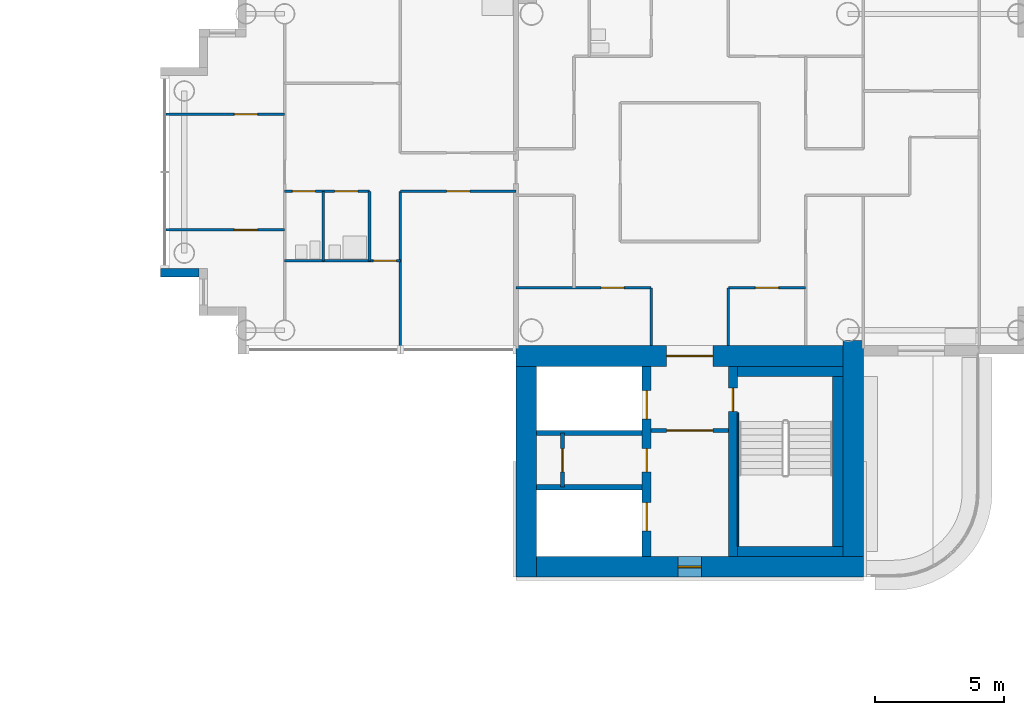
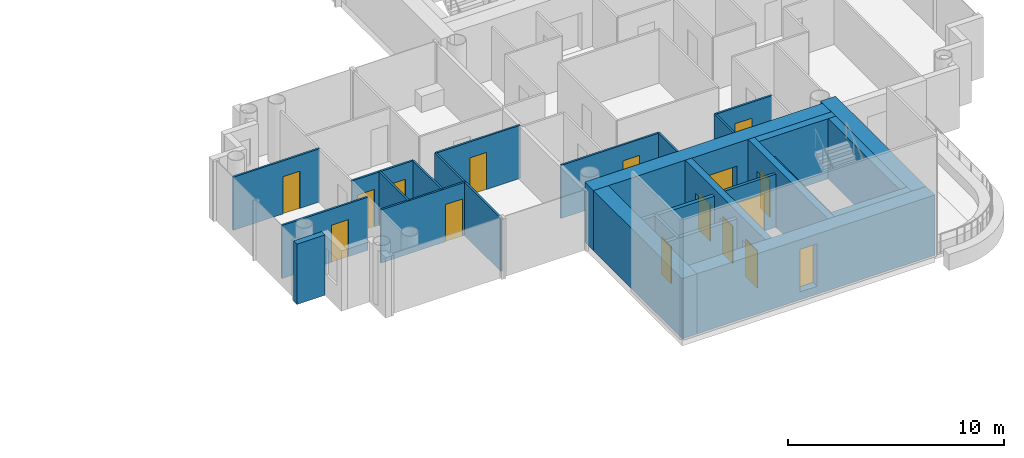
# One storey, part 10 of 20: 27 walls, 15 doors, 1 window, 16 openings.
"""IFC4 building model written with IfcOpenShell, lengths in metres."""

from ifc_helpers import new_model, si_unit, direction, frame, frame_2d, origin, place, context, subcontext, project, spatial, rectangle, extrude, material, layer, layer_set, type_object, element, fill, save


model = new_model("IFC4")

# Units and contexts
model_context = context("Model", 3, precision=1e-05, world=origin(), true_north=direction((0.0, 1.0)))
body_context = subcontext(model_context, "Body", "Model", "MODEL_VIEW")
ifc_project = project(units=[si_unit("LENGTHUNIT", "METRE"), si_unit("AREAUNIT", "SQUARE_METRE"), si_unit("VOLUMEUNIT", "CUBIC_METRE"), si_unit("PLANEANGLEUNIT", "RADIAN"), si_unit("MASSUNIT", "GRAM", prefix="KILO")], contexts=[model_context])

# Site, building, storey
site_placement = place(None, origin())
site = spatial("IfcSite", under=ifc_project, at=site_placement, CompositionType="ELEMENT")
building_placement = place(site_placement, origin())
building = spatial("IfcBuilding", under=site, at=building_placement, Name="Ipe Terrace Towers", CompositionType="ELEMENT")
storey_placement = place(building_placement, frame((0.0, 0.0, 154.10009765625)))
storey = spatial("IfcBuildingStorey", under=building, at=storey_placement, Name="L42", CompositionType="ELEMENT", Elevation=154.10009765625)

# Wall
ifc_material_1 = material(Name="Concrete C40/50 with buff precast cladding", Category="concrete")
ifc_layer_1 = layer(ifc_material_1, 0.320068359375)
ifc_layer_set_1 = layer_set([ifc_layer_1], Name="BUFF CLADDING WALL 320")
wall_type_1 = type_object("IfcWallType", Name="BUFF CLADDING WALL 320", PredefinedType="STANDARD", material=ifc_layer_set_1)
wall_1_placement = place(storey_placement, frame((15.429931640625, -3.909912109375, -0.300048828125), z_axis=(0.0, 0.0, 1.0), x_axis=(1.0, 0.0, 0.0)))
element("IfcWall", 1, at=wall_1_placement, inside=storey, type_object=wall_type_1, Name="T2-W-L42-35a wall", PredefinedType="STANDARD", context=body_context, shape_type="SweptSolid", body=[
    extrude(rectangle(XDim=1.5, YDim=0.320068359375, at=frame_2d((0.75, 0.0))), origin(), (0.0, 0.0, 1.0), 3.39990234375),
])

# Wall, opening, door
ifc_material_2 = material(Name="Gypsum board partition", Category="plasterboard")
ifc_layer_2 = layer(ifc_material_2, 0.10009765625)
ifc_layer_set_2 = layer_set([ifc_layer_2], Name="Gypsum board partition 100 mm")
wall_type_2 = type_object("IfcWallType", Name="Gypsum board partition 100 mm", PredefinedType="PARTITIONING", material=ifc_layer_set_2)
wall_2_placement = place(storey_placement, frame((40.5, -4.5, 0.0), z_axis=(0.0, 0.0, 1.0), x_axis=(-1.0, 0.0, 0.0)))
wall_2 = element("IfcWall", 2, at=wall_2_placement, inside=storey, type_object=wall_type_2, Name="Gypsum board partition T2 L42 W01", PredefinedType="PARTITIONING", context=body_context, shape_type="SweptSolid", body=[
    extrude(rectangle(XDim=3.0, YDim=0.10009765625, at=frame_2d((1.5, 0.0))), origin(), (0.0, 0.0, 1.0), 3.0),
])
opening_1_placement = place(wall_2_placement, frame((1.050048828125, 0.0, 0.0)))
opening_1 = element("IfcOpeningElement", 3, at=opening_1_placement, cuts=wall_2, Name="Opening T2-Z3C-07", PredefinedType="OPENING", context=body_context, shape_type="SweptSolid", body=[
    extrude(rectangle(XDim=0.89990234375, YDim=2.10009765625, at=frame_2d((0.449951171875, 1.050048828125))), frame((0.0, 0.06005859375, 0.0), z_axis=(0.0, -1.0, 0.0), x_axis=(1.0, 0.0, 0.0)), (0.0, 0.0, 1.0), 0.1201171875),
])
ifc_material_3 = material(Name="Timber door leaf", Category="wood")
door_type_1 = type_object("IfcDoorType", Name="Lounge door 900 x 2100", OperationType="NOTDEFINED", PredefinedType="DOOR", material=ifc_material_3)
door_1_placement = place(opening_1_placement, origin())
door_1 = element("IfcDoor", 4, at=door_1_placement, inside=storey, type_object=door_type_1, Name="Lounge door T2-Z3C-07", OperationType="SINGLE_SWING_LEFT", OverallHeight=2.10009765625, OverallWidth=0.89990234375, PredefinedType="DOOR", context=body_context, shape_type="SweptSolid", body=[
    extrude(rectangle(XDim=0.89990234375, YDim=2.10009765625, at=frame_2d((0.449951171875, 1.050048828125))), frame((0.0, 0.02490234375, 0.0), z_axis=(0.0, -1.0, 0.0), x_axis=(1.0, 0.0, 0.0)), (0.0, 0.0, 1.0), 0.050048828125),
])
fill(opening_1, door_1)

wall_3_placement = place(storey_placement, frame((34.5, -4.5, 0.0), z_axis=(0.0, 0.0, 1.0), x_axis=(-1.0, 0.0, 0.0)))
wall_3 = element("IfcWall", 5, at=wall_3_placement, inside=storey, type_object=wall_type_2, Name="Gypsum board partition T2 L42 W02", PredefinedType="PARTITIONING", context=body_context, shape_type="SweptSolid", body=[
    extrude(rectangle(XDim=5.25, YDim=0.10009765625, at=frame_2d((2.625, 0.0))), origin(), (0.0, 0.0, 1.0), 3.0),
])
opening_2_placement = place(wall_3_placement, frame((1.050048828125, 0.0, 0.0)))
opening_2 = element("IfcOpeningElement", 6, at=opening_2_placement, cuts=wall_3, Name="Opening T2-Z3C-05", PredefinedType="OPENING", context=body_context, shape_type="SweptSolid", body=[
    extrude(rectangle(XDim=0.89990234375, YDim=2.10009765625, at=frame_2d((0.449951171875, 1.050048828125))), frame((0.0, 0.06005859375, 0.0), z_axis=(0.0, -1.0, 0.0), x_axis=(1.0, 0.0, 0.0)), (0.0, 0.0, 1.0), 0.1201171875),
])
door_2_placement = place(opening_2_placement, origin())
door_2 = element("IfcDoor", 7, at=door_2_placement, inside=storey, type_object=door_type_1, Name="Lounge door T2-Z3C-05", OperationType="SINGLE_SWING_RIGHT", OverallHeight=2.10009765625, OverallWidth=0.89990234375, PredefinedType="DOOR", context=body_context, shape_type="SweptSolid", body=[
    extrude(rectangle(XDim=0.89990234375, YDim=2.10009765625, at=frame_2d((0.449951171875, 1.050048828125))), frame((0.0, 0.02490234375, 0.0), z_axis=(0.0, -1.0, 0.0), x_axis=(1.0, 0.0, 0.0)), (0.0, 0.0, 1.0), 0.050048828125),
])
fill(opening_2, door_2)

wall_4_placement = place(storey_placement, frame((24.75, -3.449951171875, 0.0), z_axis=(0.0, 0.0, 1.0), x_axis=(-1.0, 0.0, 0.0)))
wall_4 = element("IfcWall", 8, at=wall_4_placement, inside=storey, type_object=wall_type_2, Name="Gypsum board partition T2 L42 W03", PredefinedType="PARTITIONING", context=body_context, shape_type="SweptSolid", body=[
    extrude(rectangle(XDim=4.5, YDim=0.10009765625, at=frame_2d((2.25, 0.0))), origin(), (0.0, 0.0, 1.0), 3.0),
])
opening_3_placement = place(wall_4_placement, frame((0.14990234375, 0.0, 0.0)))
opening_3 = element("IfcOpeningElement", 9, at=opening_3_placement, cuts=wall_4, Name="Opening T2-Z3C-15", PredefinedType="OPENING", context=body_context, shape_type="SweptSolid", body=[
    extrude(rectangle(XDim=0.89990234375, YDim=2.10009765625, at=frame_2d((0.449951171875, 1.050048828125))), frame((0.0, 0.06005859375, 0.0), z_axis=(0.0, -1.0, 0.0), x_axis=(1.0, 0.0, 0.0)), (0.0, 0.0, 1.0), 0.1201171875),
])
ifc_material_4 = material(Name="Timber door leaf", Category="wood")
door_type_2 = type_object("IfcDoorType", Name="Bedroom door 900 x 2100", OperationType="NOTDEFINED", PredefinedType="DOOR", material=ifc_material_4)
door_3_placement = place(opening_3_placement, origin())
door_3 = element("IfcDoor", 10, at=door_3_placement, inside=storey, type_object=door_type_2, Name="Bedroom door T2-Z3C-15", OperationType="SINGLE_SWING_RIGHT", OverallHeight=2.10009765625, OverallWidth=0.89990234375, PredefinedType="DOOR", context=body_context, shape_type="SweptSolid", body=[
    extrude(rectangle(XDim=0.89990234375, YDim=2.10009765625, at=frame_2d((0.449951171875, 1.050048828125))), frame((0.0, 0.02490234375, 0.0), z_axis=(0.0, -1.0, 0.0), x_axis=(1.0, 0.0, 0.0)), (0.0, 0.0, 1.0), 0.050048828125),
])
fill(opening_3, door_3)

wall_5_placement = place(storey_placement, frame((20.25, -2.25, 0.0), z_axis=(0.0, 0.0, 1.0), x_axis=(-1.0, 0.0, 0.0)))
wall_5 = element("IfcWall", 11, at=wall_5_placement, inside=storey, type_object=wall_type_2, Name="Gypsum board partition T2 L42 W05", PredefinedType="PARTITIONING", context=body_context, shape_type="SweptSolid", body=[
    extrude(rectangle(XDim=4.60009765625, YDim=0.10009765625, at=frame_2d((2.300048828125, 0.0))), origin(), (0.0, 0.0, 1.0), 3.0),
])
opening_4_placement = place(wall_5_placement, frame((1.050048828125, 0.0, 0.0)))
opening_4 = element("IfcOpeningElement", 12, at=opening_4_placement, cuts=wall_5, Name="Opening T2-Z3C-18", PredefinedType="OPENING", context=body_context, shape_type="SweptSolid", body=[
    extrude(rectangle(XDim=0.89990234375, YDim=2.10009765625, at=frame_2d((0.449951171875, 1.050048828125))), frame((0.0, 0.06005859375, 0.0), z_axis=(0.0, -1.0, 0.0), x_axis=(1.0, 0.0, 0.0)), (0.0, 0.0, 1.0), 0.1201171875),
])
door_4_placement = place(opening_4_placement, origin())
door_4 = element("IfcDoor", 13, at=door_4_placement, inside=storey, type_object=door_type_2, Name="Bedroom door T2-Z3C-18", OperationType="SINGLE_SWING_RIGHT", OverallHeight=2.10009765625, OverallWidth=0.89990234375, PredefinedType="DOOR", context=body_context, shape_type="SweptSolid", body=[
    extrude(rectangle(XDim=0.89990234375, YDim=2.10009765625, at=frame_2d((0.449951171875, 1.050048828125))), frame((0.0, 0.02490234375, 0.0), z_axis=(0.0, -1.0, 0.0), x_axis=(1.0, 0.0, 0.0)), (0.0, 0.0, 1.0), 0.050048828125),
])
fill(opening_4, door_4)

wall_6_placement = place(storey_placement, frame((29.25, -0.75, 0.0), z_axis=(0.0, 0.0, 1.0), x_axis=(-1.0, 0.0, 0.0)))
wall_6 = element("IfcWall", 14, at=wall_6_placement, inside=storey, type_object=wall_type_2, Name="Gypsum board partition T2 L42 W08", PredefinedType="PARTITIONING", context=body_context, shape_type="SweptSolid", body=[
    extrude(rectangle(XDim=4.5, YDim=0.10009765625, at=frame_2d((2.25, 0.0))), origin(), (0.0, 0.0, 1.0), 3.0),
])
opening_5_placement = place(wall_6_placement, frame((1.800048828125, 0.0, 0.0)))
opening_5 = element("IfcOpeningElement", 15, at=opening_5_placement, cuts=wall_6, Name="Opening T2-Z3C-10", PredefinedType="OPENING", context=body_context, shape_type="SweptSolid", body=[
    extrude(rectangle(XDim=0.89990234375, YDim=2.10009765625, at=frame_2d((0.449951171875, 1.050048828125))), frame((0.0, 0.06005859375, 0.0), z_axis=(0.0, -1.0, 0.0), x_axis=(1.0, 0.0, 0.0)), (0.0, 0.0, 1.0), 0.1201171875),
])
door_5_placement = place(opening_5_placement, origin())
door_5 = element("IfcDoor", 16, at=door_5_placement, inside=storey, type_object=door_type_1, Name="Lounge door T2-Z3C-10", OperationType="SINGLE_SWING_LEFT", OverallHeight=2.10009765625, OverallWidth=0.89990234375, PredefinedType="DOOR", context=body_context, shape_type="SweptSolid", body=[
    extrude(rectangle(XDim=0.89990234375, YDim=2.10009765625, at=frame_2d((0.449951171875, 1.050048828125))), frame((0.0, 0.02490234375, 0.0), z_axis=(0.0, -1.0, 0.0), x_axis=(1.0, 0.0, 0.0)), (0.0, 0.0, 1.0), 0.050048828125),
])
fill(opening_5, door_5)

# Wall, openings, doors
wall_7_placement = place(storey_placement, frame((23.550048828125, -0.75, 0.0), z_axis=(0.0, 0.0, 1.0), x_axis=(-1.0, 0.0, 0.0)))
wall_7 = element("IfcWall", 17, at=wall_7_placement, inside=storey, type_object=wall_type_2, Name="Gypsum board partition T2 L42 W09", PredefinedType="PARTITIONING", context=body_context, shape_type="SweptSolid", body=[
    extrude(rectangle(XDim=3.300048828125, YDim=0.10009765625, at=frame_2d((1.64990234375, 0.0))), origin(), (0.0, 0.0, 1.0), 3.0),
])
opening_6_placement = place(wall_7_placement, frame((0.449951171875, 0.0, 0.0)))
opening_6 = element("IfcOpeningElement", 18, at=opening_6_placement, cuts=wall_7, Name="Opening T2-Z3C-13", PredefinedType="OPENING", context=body_context, shape_type="SweptSolid", body=[
    extrude(rectangle(XDim=0.89990234375, YDim=2.10009765625, at=frame_2d((0.449951171875, 1.050048828125))), frame((0.0, 0.06005859375, 0.0), z_axis=(0.0, -1.0, 0.0), x_axis=(1.0, 0.0, 0.0)), (0.0, 0.0, 1.0), 0.1201171875),
])
opening_7_placement = place(wall_7_placement, frame((2.10009765625, 0.0, 0.0)))
opening_7 = element("IfcOpeningElement", 19, at=opening_7_placement, cuts=wall_7, Name="Opening T2-Z3C-14", PredefinedType="OPENING", context=body_context, shape_type="SweptSolid", body=[
    extrude(rectangle(XDim=0.89990234375, YDim=2.10009765625, at=frame_2d((0.449951171875, 1.050048828125))), frame((0.0, 0.06005859375, 0.0), z_axis=(0.0, -1.0, 0.0), x_axis=(1.0, 0.0, 0.0)), (0.0, 0.0, 1.0), 0.1201171875),
])
ifc_material_5 = material(Name="Timber door leaf", Category="wood")
door_type_3 = type_object("IfcDoorType", Name="Bathroom door 900 x 2100", OperationType="NOTDEFINED", PredefinedType="DOOR", material=ifc_material_5)
door_6_placement = place(opening_6_placement, origin())
door_6 = element("IfcDoor", 20, at=door_6_placement, inside=storey, type_object=door_type_3, Name="Bathroom door T2-Z3C-13", OperationType="SINGLE_SWING_RIGHT", OverallHeight=2.10009765625, OverallWidth=0.89990234375, PredefinedType="DOOR", context=body_context, shape_type="SweptSolid", body=[
    extrude(rectangle(XDim=0.89990234375, YDim=2.10009765625, at=frame_2d((0.449951171875, 1.050048828125))), frame((0.0, 0.02490234375, 0.0), z_axis=(0.0, -1.0, 0.0), x_axis=(1.0, 0.0, 0.0)), (0.0, 0.0, 1.0), 0.050048828125),
])
fill(opening_6, door_6)
door_7_placement = place(opening_7_placement, origin())
door_7 = element("IfcDoor", 21, at=door_7_placement, inside=storey, type_object=door_type_3, Name="Bathroom door T2-Z3C-14", OperationType="SINGLE_SWING_LEFT", OverallHeight=2.10009765625, OverallWidth=0.89990234375, PredefinedType="DOOR", context=body_context, shape_type="SweptSolid", body=[
    extrude(rectangle(XDim=0.89990234375, YDim=2.10009765625, at=frame_2d((0.449951171875, 1.050048828125))), frame((0.0, 0.02490234375, 0.0), z_axis=(0.0, -1.0, 0.0), x_axis=(1.0, 0.0, 0.0)), (0.0, 0.0, 1.0), 0.050048828125),
])
fill(opening_7, door_7)

# Wall, opening, door
wall_8_placement = place(storey_placement, frame((20.25, 2.25, 0.0), z_axis=(0.0, 0.0, 1.0), x_axis=(-1.0, 0.0, 0.0)))
wall_8 = element("IfcWall", 22, at=wall_8_placement, inside=storey, type_object=wall_type_2, Name="Gypsum board partition T2 L42 W14", PredefinedType="PARTITIONING", context=body_context, shape_type="SweptSolid", body=[
    extrude(rectangle(XDim=4.60009765625, YDim=0.10009765625, at=frame_2d((2.300048828125, 0.0))), origin(), (0.0, 0.0, 1.0), 3.0),
])
opening_8_placement = place(wall_8_placement, frame((1.050048828125, 0.0, 0.0)))
opening_8 = element("IfcOpeningElement", 23, at=opening_8_placement, cuts=wall_8, Name="Opening T2-Z3C-19", PredefinedType="OPENING", context=body_context, shape_type="SweptSolid", body=[
    extrude(rectangle(XDim=0.89990234375, YDim=2.10009765625, at=frame_2d((0.449951171875, 1.050048828125))), frame((0.0, 0.06005859375, 0.0), z_axis=(0.0, -1.0, 0.0), x_axis=(1.0, 0.0, 0.0)), (0.0, 0.0, 1.0), 0.1201171875),
])
door_8_placement = place(opening_8_placement, origin())
door_8 = element("IfcDoor", 24, at=door_8_placement, inside=storey, type_object=door_type_2, Name="Bedroom door T2-Z3C-19", OperationType="SINGLE_SWING_LEFT", OverallHeight=2.10009765625, OverallWidth=0.89990234375, PredefinedType="DOOR", context=body_context, shape_type="SweptSolid", body=[
    extrude(rectangle(XDim=0.89990234375, YDim=2.10009765625, at=frame_2d((0.449951171875, 1.050048828125))), frame((0.0, 0.02490234375, 0.0), z_axis=(0.0, -1.0, 0.0), x_axis=(1.0, 0.0, 0.0)), (0.0, 0.0, 1.0), 0.050048828125),
])
fill(opening_8, door_8)

# Walls
for number, where, z_axis, x_axis, name in (
    (25, (37.5, -6.75, 0.0), (0.0, 0.0, 1.0), (0.0, 1.0, 0.0), "Gypsum board partition T2 L42 W30"),
    (26, (34.5, -6.75, 0.0), (0.0, 0.0, 1.0), (0.0, 1.0, 0.0), "Gypsum board partition T2 L42 W34"),
):
    element("IfcWall", number, at=place(storey_placement, frame(where, z_axis=z_axis, x_axis=x_axis)), inside=storey, type_object=wall_type_2, Name=name, PredefinedType="PARTITIONING", context=body_context, shape_type="SweptSolid", body=[
        extrude(rectangle(XDim=2.25, YDim=0.10009765625, at=frame_2d((1.125, 0.0))), origin(), (0.0, 0.0, 1.0), 3.0),
    ])
wall_9_placement = place(storey_placement, frame((24.75, -6.85009765625, 0.0), z_axis=(0.0, 0.0, 1.0), x_axis=(0.0, 1.0, 0.0)))
element("IfcWall", 27, at=wall_9_placement, inside=storey, type_object=wall_type_2, Name="Gypsum board partition T2 L42 W43", PredefinedType="PARTITIONING", context=body_context, shape_type="SweptSolid", body=[
    extrude(rectangle(XDim=6.10009765625, YDim=0.10009765625, at=frame_2d((3.050048828125, 0.0))), origin(), (0.0, 0.0, 1.0), 3.0),
])
for number, where, z_axis, x_axis, name in (
    (28, (23.550048828125, -3.449951171875, 0.0), (0.0, 0.0, 1.0), (0.0, 1.0, 0.0), "Gypsum board partition T2 L42 W45"),
    (29, (21.75, -3.449951171875, 0.0), (0.0, 0.0, 1.0), (0.0, 1.0, 0.0), "Gypsum board partition T2 L42 W46"),
):
    element("IfcWall", number, at=place(storey_placement, frame(where, z_axis=z_axis, x_axis=x_axis)), inside=storey, type_object=wall_type_2, Name=name, PredefinedType="PARTITIONING", context=body_context, shape_type="SweptSolid", body=[
        extrude(rectangle(XDim=2.699951171875, YDim=0.10009765625, at=frame_2d((1.35009765625, 0.0))), origin(), (0.0, 0.0, 1.0), 3.0),
    ])

# Wall, opening, door
ifc_material_6 = material(Name="Gypsum board partition", Category="plasterboard")
ifc_layer_3 = layer(ifc_material_6, 0.14990234375)
ifc_layer_set_3 = layer_set([ifc_layer_3], Name="Gypsum board partition 150 mm")
wall_type_3 = type_object("IfcWallType", Name="Gypsum board partition 150 mm", PredefinedType="PARTITIONING", material=ifc_layer_set_3)
wall_10_placement = place(storey_placement, frame((34.5, -10.050048828125, 0.0), z_axis=(0.0, 0.0, 1.0), x_axis=(1.0, 0.0, 0.0)))
wall_10 = element("IfcWall", 30, at=wall_10_placement, inside=storey, type_object=wall_type_3, Name="Gypsum board partition T2 L42 t2c2-lobby-wall", PredefinedType="PARTITIONING", context=body_context, shape_type="SweptSolid", body=[
    extrude(rectangle(XDim=3.0, YDim=0.14990234375, at=frame_2d((1.5, 0.0))), origin(), (0.0, 0.0, 1.0), 3.0),
])
opening_9_placement = place(wall_10_placement, frame((0.60009765625, 0.0, 0.0)))
opening_9 = element("IfcOpeningElement", 31, at=opening_9_placement, cuts=wall_10, Name="Opening T2C2-VD", PredefinedType="OPENING", context=body_context, shape_type="SweptSolid", body=[
    extrude(rectangle(XDim=1.800048828125, YDim=2.10009765625, at=frame_2d((0.89990234375, 1.050048828125))), frame((0.0, 0.0849609375, 0.0), z_axis=(0.0, -1.0, 0.0), x_axis=(1.0, 0.0, 0.0)), (0.0, 0.0, 1.0), 0.169921875),
])
ifc_material_7 = material(Name="Fire-rated timber door leaf", Category="wood")
door_type_4 = type_object("IfcDoorType", Name="Lobby door 1800 x 2100 FD60", OperationType="NOTDEFINED", PredefinedType="DOOR", material=ifc_material_7)
door_9_placement = place(opening_9_placement, origin())
door_9 = element("IfcDoor", 32, at=door_9_placement, inside=storey, type_object=door_type_4, Name="Lobby door T2C2-VD", OperationType="SINGLE_SWING_LEFT", OverallHeight=2.10009765625, OverallWidth=1.800048828125, PredefinedType="DOOR", context=body_context, shape_type="SweptSolid", body=[
    extrude(rectangle(XDim=1.800048828125, YDim=2.10009765625, at=frame_2d((0.89990234375, 1.050048828125))), frame((0.0, 0.02490234375, 0.0), z_axis=(0.0, -1.0, 0.0), x_axis=(1.0, 0.0, 0.0)), (0.0, 0.0, 1.0), 0.050048828125),
])
fill(opening_9, door_9)

wall_11_placement = place(storey_placement, frame((31.050048828125, -10.14990234375, 0.0), z_axis=(0.0, 0.0, 1.0), x_axis=(0.0, -1.0, 0.0)))
wall_11 = element("IfcWall", 33, at=wall_11_placement, inside=storey, type_object=wall_type_3, Name="Gypsum board partition T2 L42 t2c2-q-back", PredefinedType="PARTITIONING", context=body_context, shape_type="SweptSolid", body=[
    extrude(rectangle(XDim=2.10009765625, YDim=0.14990234375, at=frame_2d((1.050048828125, 0.0))), origin(), (0.0, 0.0, 1.0), 3.0),
])
opening_10_placement = place(wall_11_placement, frame((0.60009765625, 0.0, 0.0)))
opening_10 = element("IfcOpeningElement", 34, at=opening_10_placement, cuts=wall_11, Name="Opening T2C2-RB", PredefinedType="OPENING", context=body_context, shape_type="SweptSolid", body=[
    extrude(rectangle(XDim=0.89990234375, YDim=2.10009765625, at=frame_2d((0.449951171875, 1.050048828125))), frame((0.0, 0.0849609375, 0.0), z_axis=(0.0, -1.0, 0.0), x_axis=(1.0, 0.0, 0.0)), (0.0, 0.0, 1.0), 0.169921875),
])
ifc_material_8 = material(Name="Fire-rated timber door leaf", Category="wood")
door_type_5 = type_object("IfcDoorType", Name="Service door 900 x 2100 FD60", OperationType="NOTDEFINED", PredefinedType="DOOR", material=ifc_material_8)
door_10_placement = place(opening_10_placement, origin())
door_10 = element("IfcDoor", 35, at=door_10_placement, inside=storey, type_object=door_type_5, Name="Service door T2C2-RB", OperationType="SINGLE_SWING_LEFT", OverallHeight=2.10009765625, OverallWidth=0.89990234375, PredefinedType="DOOR", context=body_context, shape_type="SweptSolid", body=[
    extrude(rectangle(XDim=0.89990234375, YDim=2.10009765625, at=frame_2d((0.449951171875, 1.050048828125))), frame((0.0, 0.02490234375, 0.0), z_axis=(0.0, -1.0, 0.0), x_axis=(1.0, 0.0, 0.0)), (0.0, 0.0, 1.0), 0.050048828125),
])
fill(opening_10, door_10)

# Walls
ifc_material_9 = material(Name="Gypsum board party wall", Category="plasterboard")
ifc_layer_4 = layer(ifc_material_9, 0.199951171875)
ifc_layer_set_4 = layer_set([ifc_layer_4], Name="Gypsum board party wall 200 mm")
wall_type_4 = type_object("IfcWallType", Name="Gypsum board party wall 200 mm", PredefinedType="SOLIDWALL", material=ifc_layer_set_4)
for number, where, z_axis, x_axis, name in (
    (36, (30.050048828125, -12.25, 0.0), (0.0, 0.0, 1.0), (1.0, 0.0, 0.0), "Gypsum board party wall T2 L42 t2c2-shaft-div2"),
    (37, (30.050048828125, -10.14990234375, 0.0), (0.0, 0.0, 1.0), (1.0, 0.0, 0.0), "Gypsum board party wall T2 L42 t2c2-shaft-div1"),
):
    element("IfcWall", number, at=place(storey_placement, frame(where, z_axis=z_axis, x_axis=x_axis)), inside=storey, type_object=wall_type_4, Name=name, PredefinedType="SOLIDWALL", context=body_context, shape_type="SweptSolid", body=[
        extrude(rectangle(XDim=4.099853515625, YDim=0.199951171875, at=frame_2d((2.0498046875, 0.0))), origin(), (0.0, 0.0, 1.0), 3.0),
    ])

# Wall, openings, doors
ifc_material_10 = material(Name="Concrete C50/60", Category="concrete")
ifc_layer_5 = layer(ifc_material_10, 0.35009765625)
ifc_layer_set_5 = layer_set([ifc_layer_5], Name="RW350 CORE SPINE WALL 350 C50-60")
wall_type_5 = type_object("IfcWallType", Name="RW350 CORE SPINE WALL 350 C50-60", PredefinedType="SHEAR", material=ifc_layer_set_5)
wall_12_placement = place(storey_placement, frame((34.324951171875, -14.949951171875, 0.0), z_axis=(0.0, 0.0, 1.0), x_axis=(0.0, 1.0, 0.0)))
wall_12 = element("IfcWall", 38, at=wall_12_placement, inside=storey, type_object=wall_type_5, Name="Core spine wall T2-C2-Z3-SW1", PredefinedType="SHEAR", context=body_context, shape_type="SweptSolid", body=[
    extrude(rectangle(XDim=7.39990234375, YDim=0.35009765625, at=frame_2d((3.699951171875, 0.0))), origin(), (0.0, 0.0, 1.0), 3.39990234375),
])
opening_11_placement = place(wall_12_placement, frame((5.35009765625, 0.0, 0.0)))
opening_11 = element("IfcOpeningElement", 39, at=opening_11_placement, cuts=wall_12, Name="Opening T2C2-LD1", PredefinedType="OPENING", context=body_context, shape_type="SweptSolid", body=[
    extrude(rectangle(XDim=1.10009765625, YDim=2.10009765625, at=frame_2d((0.550048828125, 1.050048828125))), frame((0.0, 0.18505859375, 0.0), z_axis=(0.0, -1.0, 0.0), x_axis=(1.0, 0.0, 0.0)), (0.0, 0.0, 1.0), 0.3701171875),
])
opening_12_placement = place(wall_12_placement, frame((1.0, 0.0, 0.0)))
opening_12 = element("IfcOpeningElement", 40, at=opening_12_placement, cuts=wall_12, Name="Opening T2C2-LD3", PredefinedType="OPENING", context=body_context, shape_type="SweptSolid", body=[
    extrude(rectangle(XDim=1.10009765625, YDim=2.10009765625, at=frame_2d((0.550048828125, 1.050048828125))), frame((0.0, 0.18505859375, 0.0), z_axis=(0.0, -1.0, 0.0), x_axis=(1.0, 0.0, 0.0)), (0.0, 0.0, 1.0), 0.3701171875),
])
opening_13_placement = place(wall_12_placement, frame((3.300048828125, 0.0, 0.0)))
opening_13 = element("IfcOpeningElement", 41, at=opening_13_placement, cuts=wall_12, Name="Opening T2C2-R1-FD30S", PredefinedType="OPENING", context=body_context, shape_type="SweptSolid", body=[
    extrude(rectangle(XDim=0.89990234375, YDim=2.10009765625, at=frame_2d((0.449951171875, 1.050048828125))), frame((0.0, 0.18505859375, 0.0), z_axis=(0.0, -1.0, 0.0), x_axis=(1.0, 0.0, 0.0)), (0.0, 0.0, 1.0), 0.3701171875),
])
ifc_material_11 = material(Name="Fire-rated timber door leaf", Category="wood")
door_type_6 = type_object("IfcDoorType", Name="Sliding door 1100 x 2100 FD60", OperationType="SLIDING_TO_LEFT", PredefinedType="DOOR", material=ifc_material_11)
door_11_placement = place(opening_11_placement, origin())
door_11 = element("IfcDoor", 42, at=door_11_placement, inside=storey, type_object=door_type_6, Name="Sliding door T2C2-LD1", OperationType="SLIDING_TO_LEFT", OverallHeight=2.10009765625, OverallWidth=1.10009765625, PredefinedType="DOOR", context=body_context, shape_type="SweptSolid", body=[
    extrude(rectangle(XDim=1.10009765625, YDim=2.10009765625, at=frame_2d((0.550048828125, 1.050048828125))), frame((0.0, 0.02490234375, 0.0), z_axis=(0.0, -1.0, 0.0), x_axis=(1.0, 0.0, 0.0)), (0.0, 0.0, 1.0), 0.050048828125),
])
fill(opening_11, door_11)
door_12_placement = place(opening_12_placement, origin())
door_12 = element("IfcDoor", 43, at=door_12_placement, inside=storey, type_object=door_type_6, Name="Sliding door T2C2-LD3", OperationType="SLIDING_TO_LEFT", OverallHeight=2.10009765625, OverallWidth=1.10009765625, PredefinedType="DOOR", context=body_context, shape_type="SweptSolid", body=[
    extrude(rectangle(XDim=1.10009765625, YDim=2.10009765625, at=frame_2d((0.550048828125, 1.050048828125))), frame((0.0, 0.02490234375, 0.0), z_axis=(0.0, -1.0, 0.0), x_axis=(1.0, 0.0, 0.0)), (0.0, 0.0, 1.0), 0.050048828125),
])
fill(opening_12, door_12)
ifc_material_12 = material(Name="Fire-rated timber door leaf", Category="wood")
door_type_7 = type_object("IfcDoorType", Name="Store door 900 x 2100 FD30S", OperationType="NOTDEFINED", PredefinedType="DOOR", material=ifc_material_12)
door_13_placement = place(opening_13_placement, origin())
door_13 = element("IfcDoor", 44, at=door_13_placement, inside=storey, type_object=door_type_7, Name="Store door T2C2-R1-FD30S", OperationType="SINGLE_SWING_LEFT", OverallHeight=2.10009765625, OverallWidth=0.89990234375, PredefinedType="DOOR", context=body_context, shape_type="SweptSolid", body=[
    extrude(rectangle(XDim=0.89990234375, YDim=2.10009765625, at=frame_2d((0.449951171875, 1.050048828125))), frame((0.0, 0.02490234375, 0.0), z_axis=(0.0, -1.0, 0.0), x_axis=(1.0, 0.0, 0.0)), (0.0, 0.0, 1.0), 0.050048828125),
])
fill(opening_13, door_13)

# Wall, opening, door
wall_13_placement = place(storey_placement, frame((37.675048828125, -14.949951171875, 0.0), z_axis=(0.0, 0.0, 1.0), x_axis=(0.0, 1.0, 0.0)))
wall_13 = element("IfcWall", 45, at=wall_13_placement, inside=storey, type_object=wall_type_5, Name="Core spine wall T2-C2-Z3-SW2", PredefinedType="SHEAR", context=body_context, shape_type="SweptSolid", body=[
    extrude(rectangle(XDim=7.39990234375, YDim=0.35009765625, at=frame_2d((3.699951171875, 0.0))), origin(), (0.0, 0.0, 1.0), 3.39990234375),
])
opening_14_placement = place(wall_13_placement, frame((5.64990234375, 0.0, 0.0)))
opening_14 = element("IfcOpeningElement", 46, at=opening_14_placement, cuts=wall_13, Name="Opening T2C2-SD", PredefinedType="OPENING", context=body_context, shape_type="SweptSolid", body=[
    extrude(rectangle(XDim=0.89990234375, YDim=2.10009765625, at=frame_2d((0.449951171875, 1.050048828125))), frame((0.0, 0.18505859375, 0.0), z_axis=(0.0, -1.0, 0.0), x_axis=(1.0, 0.0, 0.0)), (0.0, 0.0, 1.0), 0.3701171875),
])
ifc_material_13 = material(Name="Fire-rated timber door leaf", Category="wood")
door_type_8 = type_object("IfcDoorType", Name="Stair door 900 x 2100 FD60", OperationType="NOTDEFINED", PredefinedType="DOOR", material=ifc_material_13)
door_14_placement = place(opening_14_placement, origin())
door_14 = element("IfcDoor", 47, at=door_14_placement, inside=storey, type_object=door_type_8, Name="Stair door T2C2-SD", OperationType="SINGLE_SWING_RIGHT", OverallHeight=2.10009765625, OverallWidth=0.89990234375, PredefinedType="DOOR", context=body_context, shape_type="SweptSolid", body=[
    extrude(rectangle(XDim=0.89990234375, YDim=2.10009765625, at=frame_2d((0.449951171875, 1.050048828125))), frame((0.0, 0.02490234375, 0.0), z_axis=(0.0, -1.0, 0.0), x_axis=(1.0, 0.0, 0.0)), (0.0, 0.0, 1.0), 0.050048828125),
])
fill(opening_14, door_14)

# Walls
ifc_material_14 = material(Name="Concrete C50/60", Category="concrete")
ifc_layer_6 = layer(ifc_material_14, 0.39990234375)
ifc_layer_set_6 = layer_set([ifc_layer_6], Name="RW400 CORE INFILL WALL 400 C50-60")
wall_type_6 = type_object("IfcWallType", Name="RW400 CORE INFILL WALL 400 C50-60", PredefinedType="SHEAR", material=ifc_layer_set_6)
wall_14_placement = place(storey_placement, frame((37.85009765625, -14.75, 0.0), z_axis=(0.0, 0.0, 1.0), x_axis=(1.0, 0.0, 0.0)))
element("IfcWall", 48, at=wall_14_placement, inside=storey, type_object=wall_type_6, Name="Core infill wall T2-C2-far", PredefinedType="SHEAR", context=body_context, shape_type="SweptSolid", body=[
    extrude(rectangle(XDim=4.099853515625, YDim=0.39990234375, at=frame_2d((2.0498046875, 0.0))), origin(), (0.0, 0.0, 1.0), 3.39990234375),
])
wall_15_placement = place(storey_placement, frame((41.75, -7.949951171875, 0.0), z_axis=(0.0, 0.0, 1.0), x_axis=(0.0, -1.0, 0.0)))
element("IfcWall", 49, at=wall_15_placement, inside=storey, type_object=wall_type_6, Name="Core infill wall T2-C2-back", PredefinedType="SHEAR", context=body_context, shape_type="SweptSolid", body=[
    extrude(rectangle(XDim=6.60009765625, YDim=0.39990234375, at=frame_2d((3.300048828125, 0.0))), origin(), (0.0, 0.0, 1.0), 3.39990234375),
])
wall_16_placement = place(storey_placement, frame((37.85009765625, -7.75, 0.0), z_axis=(0.0, 0.0, 1.0), x_axis=(1.0, 0.0, 0.0)))
element("IfcWall", 50, at=wall_16_placement, inside=storey, type_object=wall_type_6, Name="Core infill wall T2-C2-near", PredefinedType="SHEAR", context=body_context, shape_type="SweptSolid", body=[
    extrude(rectangle(XDim=4.099853515625, YDim=0.39990234375, at=frame_2d((2.0498046875, 0.0))), origin(), (0.0, 0.0, 1.0), 3.39990234375),
])
ifc_material_15 = material(Name="Concrete C50/60", Category="concrete")
ifc_layer_7 = layer(ifc_material_15, 0.050048828125)
ifc_layer_set_7 = layer_set([ifc_layer_7], Name="RW50 CORE INFILL WALL 50 C50-60")
wall_type_7 = type_object("IfcWallType", Name="RW50 CORE INFILL WALL 50 C50-60", PredefinedType="SHEAR", material=ifc_layer_set_7)
wall_17_placement = place(storey_placement, frame((37.875, -9.35009765625, 0.0), z_axis=(0.0, 0.0, 1.0), x_axis=(0.0, -1.0, 0.0)))
element("IfcWall", 51, at=wall_17_placement, inside=storey, type_object=wall_type_7, Name="Core infill wall T2-C2-spine-b", PredefinedType="SHEAR", context=body_context, shape_type="SweptSolid", body=[
    extrude(rectangle(XDim=5.199951171875, YDim=0.050048828125, at=frame_2d((2.60009765625, 0.0))), origin(), (0.0, 0.0, 1.0), 3.39990234375),
])

# Wall, opening, window
ifc_material_16 = material(Name="Concrete C50/60", Category="concrete")
ifc_layer_8 = layer(ifc_material_16, 0.800048828125)
ifc_layer_set_8 = layer_set([ifc_layer_8], Name="RW800 CORE WALL 800 C50-60")
wall_type_8 = type_object("IfcWallType", Name="RW800 CORE WALL 800 C50-60", PredefinedType="SHEAR", material=ifc_layer_set_8)
wall_18_placement = place(storey_placement, frame((30.050048828125, -15.35009765625, 0.0), z_axis=(0.0, 0.0, 1.0), x_axis=(1.0, 0.0, 0.0)))
wall_18 = element("IfcWall", 52, at=wall_18_placement, inside=storey, type_object=wall_type_8, Name="Core wall T2-C2-Z3-W01", PredefinedType="SHEAR", context=body_context, shape_type="SweptSolid", body=[
    extrude(rectangle(XDim=12.699951171875, YDim=0.800048828125, at=frame_2d((6.35009765625, 0.0))), origin(), (0.0, 0.0, 1.0), 3.39990234375),
])
opening_15_placement = place(wall_18_placement, frame((5.5, 0.0, 0.449951171875)))
opening_15 = element("IfcOpeningElement", 53, at=opening_15_placement, cuts=wall_18, Name="Opening T2-C2-W-01-L42", PredefinedType="OPENING", context=body_context, shape_type="SweptSolid", body=[
    extrude(rectangle(XDim=0.89990234375, YDim=2.39990234375, at=frame_2d((0.449951171875, 1.199951171875))), frame((0.0, 0.41015625, 0.0), z_axis=(0.0, -1.0, 0.0), x_axis=(1.0, 0.0, 0.0)), (0.0, 0.0, 1.0), 0.820068359375),
])
ifc_material_17 = material(Name="Fire-resistant glazing EI 60", Category="glass")
window_type = type_object("IfcWindowType", Name="CORRIDOR END SLOT WINDOW 900 x 2400 EI 60", PartitioningType="SINGLE_PANEL", PredefinedType="WINDOW", material=ifc_material_17)
window_placement = place(opening_15_placement, origin())
window = element("IfcWindow", 54, at=window_placement, inside=storey, type_object=window_type, Name="W-01 window", OverallHeight=2.39990234375, OverallWidth=0.89990234375, PartitioningType="SINGLE_PANEL", PredefinedType="WINDOW", context=body_context, shape_type="SweptSolid", body=[
    extrude(rectangle(XDim=0.89990234375, YDim=2.39990234375, at=frame_2d((0.449951171875, 1.199951171875))), frame((0.0, 0.030029296875, 0.0), z_axis=(0.0, -1.0, 0.0), x_axis=(1.0, 0.0, 0.0)), (0.0, 0.0, 1.0), 0.06005859375),
])
fill(opening_15, window)

# Wall
wall_19_placement = place(storey_placement, frame((42.35009765625, -14.949951171875, 0.0), z_axis=(0.0, 0.0, 1.0), x_axis=(0.0, 1.0, 0.0)))
element("IfcWall", 55, at=wall_19_placement, inside=storey, type_object=wall_type_8, Name="Core wall T2-C2-Z3-W02", PredefinedType="SHEAR", context=body_context, shape_type="SweptSolid", body=[
    extrude(rectangle(XDim=8.39794921875, YDim=0.800048828125, at=frame_2d((4.198974609375, 0.0))), origin(), (0.0, 0.0, 1.0), 3.39990234375),
])

# Wall, opening, door
wall_20_placement = place(storey_placement, frame((41.949951171875, -7.14990234375, 0.0), z_axis=(0.0, 0.0, 1.0), x_axis=(-1.0, 0.0, 0.0)))
wall_20 = element("IfcWall", 56, at=wall_20_placement, inside=storey, type_object=wall_type_8, Name="Core wall T2-C2-Z3-W03", PredefinedType="SHEAR", context=body_context, shape_type="SweptSolid", body=[
    extrude(rectangle(XDim=12.699951171875, YDim=0.800048828125, at=frame_2d((6.35009765625, 0.0))), origin(), (0.0, 0.0, 1.0), 3.39990234375),
])
opening_16_placement = place(wall_20_placement, frame((5.050048828125, 0.0, 0.0)))
opening_16 = element("IfcOpeningElement", 57, at=opening_16_placement, cuts=wall_20, Name="Opening T2C2-ND", PredefinedType="OPENING", context=body_context, shape_type="SweptSolid", body=[
    extrude(rectangle(XDim=1.800048828125, YDim=2.10009765625, at=frame_2d((0.89990234375, 1.050048828125))), frame((0.0, 0.41015625, 0.0), z_axis=(0.0, -1.0, 0.0), x_axis=(1.0, 0.0, 0.0)), (0.0, 0.0, 1.0), 0.820068359375),
])
ifc_material_18 = material(Name="Fire-rated timber door leaf", Category="wood")
door_type_9 = type_object("IfcDoorType", Name="Fire door 1800 x 2100 FD30S", OperationType="NOTDEFINED", PredefinedType="DOOR", material=ifc_material_18)
door_15_placement = place(opening_16_placement, origin())
door_15 = element("IfcDoor", 58, at=door_15_placement, inside=storey, type_object=door_type_9, Name="Fire door T2C2-ND", OperationType="SINGLE_SWING_LEFT", OverallHeight=2.10009765625, OverallWidth=1.800048828125, PredefinedType="DOOR", context=body_context, shape_type="SweptSolid", body=[
    extrude(rectangle(XDim=1.800048828125, YDim=2.10009765625, at=frame_2d((0.89990234375, 1.050048828125))), frame((0.0, 0.02490234375, 0.0), z_axis=(0.0, -1.0, 0.0), x_axis=(1.0, 0.0, 0.0)), (0.0, 0.0, 1.0), 0.050048828125),
])
fill(opening_16, door_15)

# Wall
wall_21_placement = place(storey_placement, frame((29.64990234375, -7.550048828125, 0.0), z_axis=(0.0, 0.0, 1.0), x_axis=(0.0, -1.0, 0.0)))
element("IfcWall", 59, at=wall_21_placement, inside=storey, type_object=wall_type_8, Name="Core wall T2-C2-Z3-W04", PredefinedType="SHEAR", context=body_context, shape_type="SweptSolid", body=[
    extrude(rectangle(XDim=8.199951171875, YDim=0.800048828125, at=frame_2d((4.10009765625, 0.0))), origin(), (0.0, 0.0, 1.0), 3.39990234375),
])

save(model, "model.ifc")
